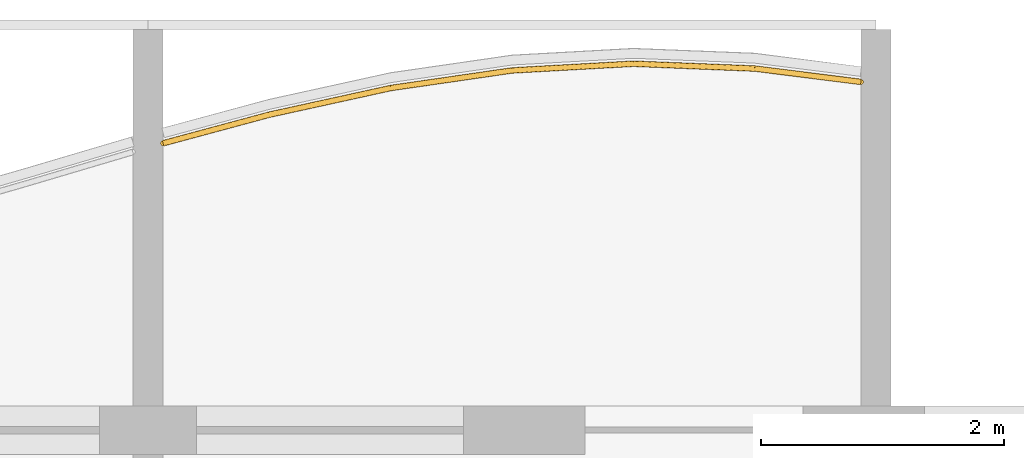
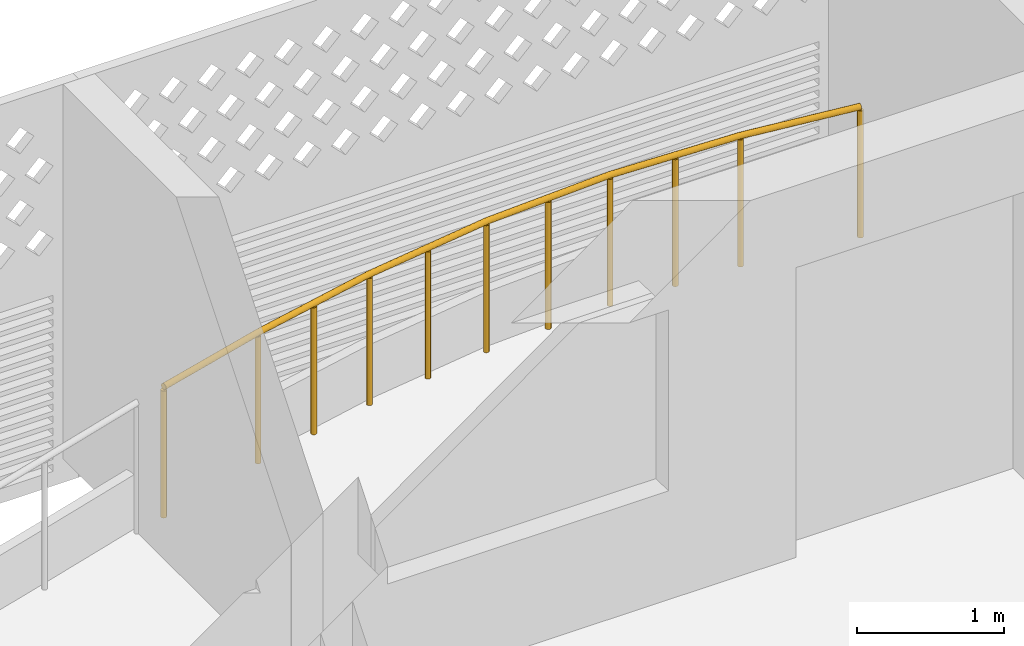
# One storey, part 17 of 26: 1 railing.
"""IFC4 building model written with IfcOpenShell, lengths in metres."""

from ifc_helpers import new_model, si_unit, direction, frame, origin, origin_2d, place, context, subcontext, project, spatial, circle, extrude, material, type_object, element, save


model = new_model("IFC4")

# Units and contexts
model_context = context("Model", 3, precision=1e-05, world=origin(), true_north=direction((0.0, 1.0)))
body_context = subcontext(model_context, "Body", "Model", "MODEL_VIEW")
ifc_project = project(units=[si_unit("LENGTHUNIT", "METRE"), si_unit("AREAUNIT", "SQUARE_METRE"), si_unit("VOLUMEUNIT", "CUBIC_METRE"), si_unit("PLANEANGLEUNIT", "RADIAN"), si_unit("MASSUNIT", "GRAM", prefix="KILO")], contexts=[model_context])

# Site, building, storey
site_placement = place(None, origin())
site = spatial("IfcSite", under=ifc_project, at=site_placement, CompositionType="ELEMENT")
building_placement = place(site_placement, origin())
building = spatial("IfcBuilding", under=site, at=building_placement, Name="Poui Terraces", CompositionType="ELEMENT")
storey_placement = place(building_placement, frame((0.0, 0.0, 224.699951171875)))
storey = spatial("IfcBuildingStorey", under=building, at=storey_placement, Name="L62", CompositionType="ELEMENT", Elevation=224.699951171875)

# Railing
ifc_material = material(Name="Painted steel fretwork", Category="steel")
railing_type = type_object("IfcRailingType", Name="BALCONY GUARD 1100", PredefinedType="GUARDRAIL", material=ifc_material)
railing_placement = place(storey_placement, frame((36.125, 43.564208984375, 0.0)))
element("IfcRailing", 1, at=railing_placement, inside=storey, type_object=railing_type, Name="BALCONY GUARD", PredefinedType="GUARDRAIL", context=body_context, shape_type="SweptSolid", body=[
    extrude(circle(Radius=0.02392578125, at=origin_2d()), frame((0.0, 0.0, 1.076171875), z_axis=(0.965610555684, 0.259992797499, 0.0), x_axis=(-0.259992797499, 0.965610555684, 0.0)), (0.0, 0.0, 1.0), 0.90625),
    extrude(circle(Radius=0.02392578125, at=origin_2d()), frame((0.875, 0.235595703125, 1.076171875), z_axis=(0.97675043296, 0.214379550593, 0.0), x_axis=(-0.214379550593, 0.97675043296, 0.0)), (0.0, 0.0, 1.0), 1.023681640625),
    extrude(circle(Radius=0.02392578125, at=origin_2d()), frame((1.875, 0.455078125, 1.076171875), z_axis=(0.989647671833, 0.143518241472, 0.0), x_axis=(-0.143518241472, 0.989647671833, 0.0)), (0.0, 0.0, 1.0), 1.010498046875),
    extrude(circle(Radius=0.02392578125, at=origin_2d()), frame((2.875, 0.60009765625, 1.076171875), z_axis=(0.998467844587, 0.055335009942, 0.0), x_axis=(-0.055335009942, 0.998467844587, 0.0)), (0.0, 0.0, 1.0), 1.00146484375),
    extrude(circle(Radius=0.02392578125, at=origin_2d()), frame((3.875, 0.655517578125, 1.076171875), z_axis=(0.99920912132, -0.03976344892, 0.0), x_axis=(0.03976344892, 0.99920912132, 0.0)), (0.0, 0.0, 1.0), 1.000732421875),
    extrude(circle(Radius=0.02392578125, at=origin_2d()), frame((4.875, 0.61572265625, 1.076171875), z_axis=(0.99220958069, -0.124579885968, 0.0), x_axis=(0.124579885968, 0.99220958069, 0.0)), (0.0, 0.0, 1.0), 0.8818359375),
    extrude(circle(Radius=0.02099609375, at=origin_2d()), origin(), (0.0, 0.0, 1.0), 1.052001953125),
    extrude(circle(Radius=0.02099609375, at=origin_2d()), frame((0.875, 0.235595703125, 0.0)), (0.0, 0.0, 1.0), 1.052001953125),
    extrude(circle(Radius=0.02099609375, at=origin_2d()), frame((1.375, 0.34521484375, 0.0)), (0.0, 0.0, 1.0), 1.052001953125),
    extrude(circle(Radius=0.02099609375, at=origin_2d()), frame((1.875, 0.455078125, 0.0)), (0.0, 0.0, 1.0), 1.052001953125),
    extrude(circle(Radius=0.02099609375, at=origin_2d()), frame((2.375, 0.527587890625, 0.0)), (0.0, 0.0, 1.0), 1.052001953125),
    extrude(circle(Radius=0.02099609375, at=origin_2d()), frame((2.875, 0.60009765625, 0.0)), (0.0, 0.0, 1.0), 1.052001953125),
    extrude(circle(Radius=0.02099609375, at=origin_2d()), frame((3.375, 0.6279296875, 0.0)), (0.0, 0.0, 1.0), 1.052001953125),
    extrude(circle(Radius=0.02099609375, at=origin_2d()), frame((3.875, 0.655517578125, 0.0)), (0.0, 0.0, 1.0), 1.052001953125),
    extrude(circle(Radius=0.02099609375, at=origin_2d()), frame((4.375, 0.6357421875, 0.0)), (0.0, 0.0, 1.0), 1.052001953125),
    extrude(circle(Radius=0.02099609375, at=origin_2d()), frame((4.875, 0.61572265625, 0.0)), (0.0, 0.0, 1.0), 1.052001953125),
    extrude(circle(Radius=0.02099609375, at=origin_2d()), frame((5.75, 0.505859375, 0.0)), (0.0, 0.0, 1.0), 1.052001953125),
])

save(model, "model.ifc")
